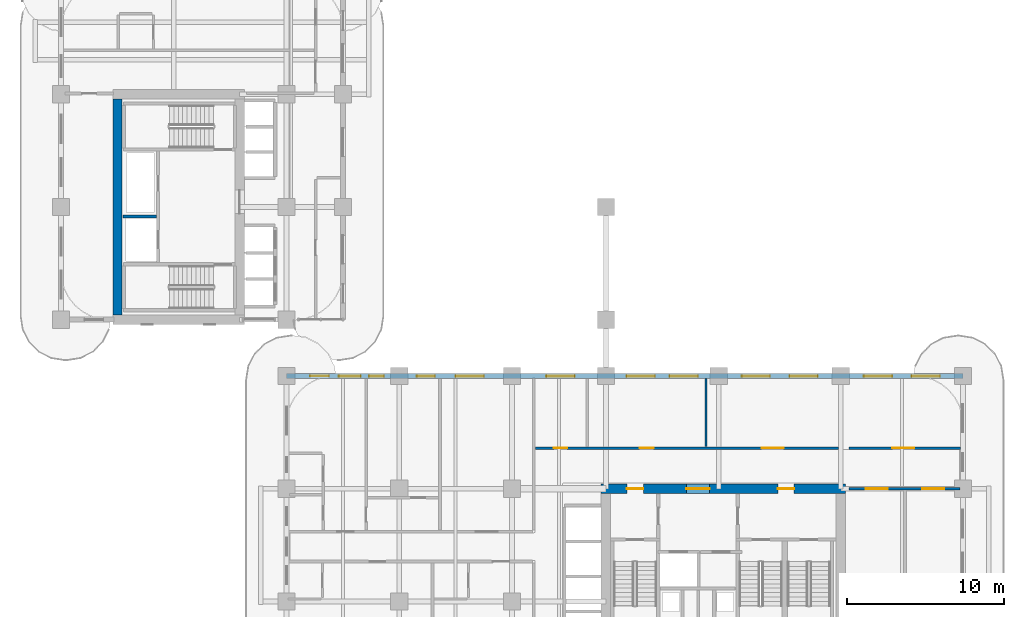
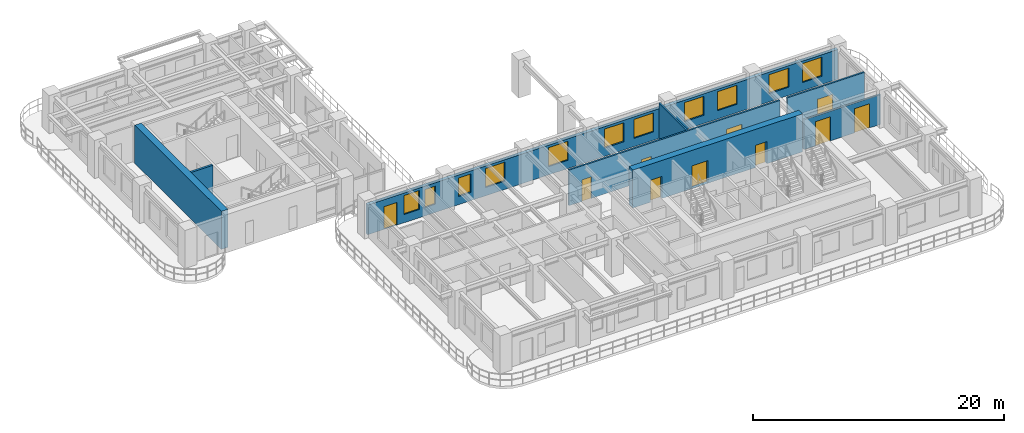
# One storey, part 10 of 19: 11 windows, 10 doors, 8 walls, 21 openings.
"""IFC4 building model written with IfcOpenShell, lengths in metres."""

from ifc_helpers import new_model, si_unit, derived_unit, direction, frame, frame_2d, origin, place, context, subcontext, project, spatial, rectangle, extrude, source, transform, mapped, material, layer, layer_set, type_object, type_shapes, element, fill, save


model = new_model("IFC4")

# Units and contexts
model_context = context("Model", 3, precision=1e-05, world=origin(), true_north=direction((0.0, 1.0)))
body_context = subcontext(model_context, "Body", "Model", "MODEL_VIEW")
ifc_project = project(units=[si_unit("LENGTHUNIT", "METRE"), si_unit("AREAUNIT", "SQUARE_METRE"), si_unit("VOLUMEUNIT", "CUBIC_METRE"), si_unit("PLANEANGLEUNIT", "RADIAN"), si_unit("MASSUNIT", "GRAM", prefix="KILO"), si_unit("THERMODYNAMICTEMPERATUREUNIT", "KELVIN"), si_unit("POWERUNIT", "WATT"), derived_unit("THERMALTRANSMITTANCEUNIT", [(si_unit("POWERUNIT", "WATT"), 1), (si_unit("AREAUNIT", "SQUARE_METRE"), -1), (si_unit("THERMODYNAMICTEMPERATUREUNIT", "KELVIN"), -1)])], contexts=[model_context])

# Site, building, storey
site_placement = place(None, origin())
site = spatial("IfcSite", under=ifc_project, at=site_placement, CompositionType="ELEMENT")
building_placement = place(site_placement, origin())
building = spatial("IfcBuilding", under=site, at=building_placement, Name="Zahravan Archway Hotel and Residences", CompositionType="ELEMENT")
storey_placement = place(building_placement, frame((0.0, 0.0, 47.199951171875)))
storey = spatial("IfcBuildingStorey", under=building, at=storey_placement, Name="L10", CompositionType="ELEMENT", Elevation=47.199951171875)

# Wall, openings, doors
ifc_material_1 = material(Name="Concrete C70/85", Category="concrete")
ifc_layer_1 = layer(ifc_material_1, 0.60009765625, Name="Concrete C70/85", Category="concrete")
ifc_layer_set_1 = layer_set([ifc_layer_1], Name="Concrete C70/85")
wall_type_1 = type_object("IfcWallType", Name="CW-CORE-600", PredefinedType="SHEAR", material=ifc_layer_set_1)
wall_1_placement = place(storey_placement, frame((34.5, 14.39990234375, 0.0), z_axis=(0.0, 0.0, 1.0), x_axis=(1.0, 0.0, 0.0)))
wall_1 = element("IfcWall", 1, at=wall_1_placement, inside=storey, type_object=wall_type_1, Name="L10 Core A Shear N Wall 600 mm", PredefinedType="SHEAR", context=body_context, shape_type="SweptSolid", body=[
    extrude(rectangle(XDim=15.60009765625, YDim=0.60009765625, at=frame_2d((7.800048828125, 0.0))), origin(), (0.0, 0.0, 1.0), 3.699951171875),
])
opening_1_placement = place(wall_1_placement, frame((5.429931640625, 0.0, 0.0)))
opening_1 = element("IfcOpeningElement", 2, at=opening_1_placement, cuts=wall_1, Name="Opening FD-L1", PredefinedType="OPENING", context=body_context, shape_type="SweptSolid", body=[
    extrude(rectangle(XDim=1.5, YDim=2.199951171875, at=frame_2d((0.75, 1.10009765625))), frame((0.0, 0.31005859375, 0.0), z_axis=(0.0, -1.0, 0.0), x_axis=(1.0, 0.0, 0.0)), (0.0, 0.0, 1.0), 0.6201171875),
])
opening_2_placement = place(wall_1_placement, frame((1.64501953125, 0.0, 0.0)))
opening_2 = element("IfcOpeningElement", 3, at=opening_2_placement, cuts=wall_1, Name="Opening FD-L2", PredefinedType="OPENING", context=body_context, shape_type="SweptSolid", body=[
    extrude(rectangle(XDim=1.050048828125, YDim=2.14990234375, at=frame_2d((0.52490234375, 1.074951171875))), frame((0.0, 0.31005859375, 0.0), z_axis=(0.0, -1.0, 0.0), x_axis=(1.0, 0.0, 0.0)), (0.0, 0.0, 1.0), 0.6201171875),
])
opening_3_placement = place(wall_1_placement, frame((11.27490234375, 0.0, 0.0)))
opening_3 = element("IfcOpeningElement", 4, at=opening_3_placement, cuts=wall_1, Name="Opening FD-L2", PredefinedType="OPENING", context=body_context, shape_type="SweptSolid", body=[
    extrude(rectangle(XDim=1.050048828125, YDim=2.14990234375, at=frame_2d((0.52490234375, 1.074951171875))), frame((0.0, 0.31005859375, 0.0), z_axis=(0.0, -1.0, 0.0), x_axis=(1.0, 0.0, 0.0)), (0.0, 0.0, 1.0), 0.6201171875),
])
ifc_material_2 = material(Name="Fire-Rated Painted Steel", Category="steel")
door_type_1 = type_object("IfcDoorType", Name="FD-LOBBY-1100", OperationType="NOTDEFINED", PredefinedType="DOOR", material=ifc_material_2)
shared_shape_1 = source(origin(), body_context, "Body", "SweptSolid", [
    extrude(rectangle(XDim=1.050048828125, YDim=2.14990234375, at=frame_2d((0.52490234375, 1.074951171875))), frame((0.0, 0.02490234375, 0.0), z_axis=(0.0, -1.0, 0.0), x_axis=(1.0, 0.0, 0.0)), (0.0, 0.0, 1.0), 0.050048828125),
])
type_shapes(door_type_1, [shared_shape_1])
door_1_placement = place(opening_2_placement, origin())
door_1 = element("IfcDoor", 5, at=door_1_placement, inside=storey, type_object=door_type_1, Name="L10 Core A West Stair Lobby Door", OperationType="SINGLE_SWING_RIGHT", OverallHeight=2.14990234375, OverallWidth=1.050048828125, PredefinedType="DOOR", context=body_context, shape_type="MappedRepresentation", body=[
    mapped(shared_shape_1, transform((0.0, 0.0, 0.0), scale=1.0)),
])
fill(opening_2, door_1)
door_2_placement = place(opening_3_placement, origin())
door_2 = element("IfcDoor", 6, at=door_2_placement, inside=storey, type_object=door_type_1, Name="L10 Core A East Stair Lobby Door", OperationType="SINGLE_SWING_LEFT", OverallHeight=2.14990234375, OverallWidth=1.050048828125, PredefinedType="DOOR", context=body_context, shape_type="MappedRepresentation", body=[
    mapped(shared_shape_1, transform((0.0, 0.0, 0.0), scale=1.0)),
])
fill(opening_3, door_2)
door_type_2 = type_object("IfcDoorType", Name="FD-LOBBY-1500", OperationType="DOUBLE_DOOR_SINGLE_SWING", PredefinedType="DOOR", material=ifc_material_2)
shared_shape_2 = source(origin(), body_context, "Body", "SweptSolid", [
    extrude(rectangle(XDim=1.5, YDim=2.199951171875, at=frame_2d((0.75, 1.10009765625))), frame((0.0, 0.02490234375, 0.0), z_axis=(0.0, -1.0, 0.0), x_axis=(1.0, 0.0, 0.0)), (0.0, 0.0, 1.0), 0.050048828125),
])
type_shapes(door_type_2, [shared_shape_2])
door_3_placement = place(opening_1_placement, origin())
door_3 = element("IfcDoor", 7, at=door_3_placement, inside=storey, type_object=door_type_2, Name="L10 Core A FSAE Lobby Main Door", OperationType="DOUBLE_DOOR_SINGLE_SWING", OverallHeight=2.199951171875, OverallWidth=1.5, PredefinedType="DOOR", context=body_context, shape_type="MappedRepresentation", body=[
    mapped(shared_shape_2, transform((0.0, 0.0, 0.0), scale=1.0)),
])
fill(opening_1, door_3)

# Wall
wall_2_placement = place(storey_placement, frame((3.60009765625, 25.5, 0.0), z_axis=(0.0, 0.0, 1.0), x_axis=(0.0, 1.0, 0.0)))
element("IfcWall", 8, at=wall_2_placement, inside=storey, type_object=wall_type_1, Name="L10 Core B Shear W Wall 600 mm", PredefinedType="SHEAR", context=body_context, shape_type="SweptSolid", body=[
    extrude(rectangle(XDim=13.800048828125, YDim=0.60009765625, at=frame_2d((6.89990234375, 0.0))), origin(), (0.0, 0.0, 1.0), 3.699951171875),
])

# Wall, openings, door, windows
ifc_material_3 = material(Name="Agra Buff Sandstone & Insulated Backup", Category="masonry")
ifc_layer_2 = layer(ifc_material_3, 0.320068359375, Name="Agra Buff Sandstone & Insulated Backup", Category="masonry")
ifc_layer_set_2 = layer_set([ifc_layer_2], Name="Agra Buff Sandstone & Insulated Backup")
wall_type_2 = type_object("IfcWallType", Name="EW-SAND-320", PredefinedType="SOLIDWALL", material=ifc_layer_set_2)
wall_3_placement = place(storey_placement, frame((14.39990234375, 21.60009765625, 0.0), z_axis=(0.0, 0.0, 1.0), x_axis=(1.0, 0.0, 0.0)))
wall_3 = element("IfcWall", 9, at=wall_3_placement, inside=storey, type_object=wall_type_2, Name="L10 Exterior Sandstone Wall WA-NE", PredefinedType="SOLIDWALL", context=body_context, shape_type="SweptSolid", body=[
    extrude(rectangle(XDim=43.2001953125, YDim=0.320068359375, at=frame_2d((21.60009765625, 0.0))), origin(), (0.0, 0.0, 1.0), 2.885009765625),
])
opening_4_placement = place(wall_3_placement, frame((1.5, 0.0, 0.0)))
opening_4 = element("IfcOpeningElement", 10, at=opening_4_placement, cuts=wall_3, Name="Opening ED-BL1", PredefinedType="OPENING", context=body_context, shape_type="SweptSolid", body=[
    extrude(rectangle(XDim=1.199951171875, YDim=2.199951171875, at=frame_2d((0.60009765625, 1.10009765625))), frame((0.0, 0.169921875, 0.0), z_axis=(0.0, -1.0, 0.0), x_axis=(1.0, 0.0, 0.0)), (0.0, 0.0, 1.0), 0.340087890625),
])
opening_5_placement = place(wall_3_placement, frame((3.3359375, 0.0, 0.800048828125)))
opening_5 = element("IfcOpeningElement", 11, at=opening_5_placement, cuts=wall_3, Name="Opening W-03", PredefinedType="OPENING", context=body_context, shape_type="SweptSolid", body=[
    extrude(rectangle(XDim=1.39990234375, YDim=1.85009765625, at=frame_2d((0.699951171875, 0.925048828125))), frame((0.0, 0.169921875, 0.0), z_axis=(0.0, -1.0, 0.0), x_axis=(1.0, 0.0, 0.0)), (0.0, 0.0, 1.0), 0.340087890625),
])
opening_6_placement = place(wall_3_placement, frame((5.26904296875, 0.0, 0.800048828125)))
opening_6 = element("IfcOpeningElement", 12, at=opening_6_placement, cuts=wall_3, Name="Opening W-04", PredefinedType="OPENING", context=body_context, shape_type="SweptSolid", body=[
    extrude(rectangle(XDim=0.949951171875, YDim=1.75, at=frame_2d((0.47509765625, 0.875))), frame((0.0, 0.169921875, 0.0), z_axis=(0.0, -1.0, 0.0), x_axis=(1.0, 0.0, 0.0)), (0.0, 0.0, 1.0), 0.340087890625),
])
opening_7_placement = place(wall_3_placement, frame((8.321044921875, 0.0, 0.800048828125)))
opening_7 = element("IfcOpeningElement", 13, at=opening_7_placement, cuts=wall_3, Name="Opening W-05", PredefinedType="OPENING", context=body_context, shape_type="SweptSolid", body=[
    extrude(rectangle(XDim=1.14990234375, YDim=1.800048828125, at=frame_2d((0.574951171875, 0.89990234375))), frame((0.0, 0.169921875, 0.0), z_axis=(0.0, -1.0, 0.0), x_axis=(1.0, 0.0, 0.0)), (0.0, 0.0, 1.0), 0.340087890625),
])
opening_8_placement = place(wall_3_placement, frame((10.803955078125, 0.0, 0.800048828125)))
opening_8 = element("IfcOpeningElement", 14, at=opening_8_placement, cuts=wall_3, Name="Opening W-02", PredefinedType="OPENING", context=body_context, shape_type="SweptSolid", body=[
    extrude(rectangle(XDim=1.800048828125, YDim=1.85009765625, at=frame_2d((0.89990234375, 0.925048828125))), frame((0.0, 0.169921875, 0.0), z_axis=(0.0, -1.0, 0.0), x_axis=(1.0, 0.0, 0.0)), (0.0, 0.0, 1.0), 0.340087890625),
])
opening_9_placement = place(wall_3_placement, frame((16.60107421875, 0.0, 0.800048828125)))
opening_9 = element("IfcOpeningElement", 15, at=opening_9_placement, cuts=wall_3, Name="Opening W-02", PredefinedType="OPENING", context=body_context, shape_type="SweptSolid", body=[
    extrude(rectangle(XDim=1.800048828125, YDim=1.85009765625, at=frame_2d((0.89990234375, 0.925048828125))), frame((0.0, 0.169921875, 0.0), z_axis=(0.0, -1.0, 0.0), x_axis=(1.0, 0.0, 0.0)), (0.0, 0.0, 1.0), 0.340087890625),
])
opening_10_placement = place(wall_3_placement, frame((21.722900390625, 0.0, 0.800048828125)))
opening_10 = element("IfcOpeningElement", 16, at=opening_10_placement, cuts=wall_3, Name="Opening W-02", PredefinedType="OPENING", context=body_context, shape_type="SweptSolid", body=[
    extrude(rectangle(XDim=1.800048828125, YDim=1.85009765625, at=frame_2d((0.89990234375, 0.925048828125))), frame((0.0, 0.169921875, 0.0), z_axis=(0.0, -1.0, 0.0), x_axis=(1.0, 0.0, 0.0)), (0.0, 0.0, 1.0), 0.340087890625),
])
opening_11_placement = place(wall_3_placement, frame((24.468994140625, 0.0, 0.800048828125)))
opening_11 = element("IfcOpeningElement", 17, at=opening_11_placement, cuts=wall_3, Name="Opening W-02", PredefinedType="OPENING", context=body_context, shape_type="SweptSolid", body=[
    extrude(rectangle(XDim=1.800048828125, YDim=1.85009765625, at=frame_2d((0.89990234375, 0.925048828125))), frame((0.0, 0.169921875, 0.0), z_axis=(0.0, -1.0, 0.0), x_axis=(1.0, 0.0, 0.0)), (0.0, 0.0, 1.0), 0.340087890625),
])
opening_12_placement = place(wall_3_placement, frame((29.074951171875, 0.0, 0.800048828125)))
opening_12 = element("IfcOpeningElement", 18, at=opening_12_placement, cuts=wall_3, Name="Opening W-02", PredefinedType="OPENING", context=body_context, shape_type="SweptSolid", body=[
    extrude(rectangle(XDim=1.800048828125, YDim=1.85009765625, at=frame_2d((0.89990234375, 0.925048828125))), frame((0.0, 0.169921875, 0.0), z_axis=(0.0, -1.0, 0.0), x_axis=(1.0, 0.0, 0.0)), (0.0, 0.0, 1.0), 0.340087890625),
])
opening_13_placement = place(wall_3_placement, frame((32.125, 0.0, 0.800048828125)))
opening_13 = element("IfcOpeningElement", 19, at=opening_13_placement, cuts=wall_3, Name="Opening W-02", PredefinedType="OPENING", context=body_context, shape_type="SweptSolid", body=[
    extrude(rectangle(XDim=1.800048828125, YDim=1.85009765625, at=frame_2d((0.89990234375, 0.925048828125))), frame((0.0, 0.169921875, 0.0), z_axis=(0.0, -1.0, 0.0), x_axis=(1.0, 0.0, 0.0)), (0.0, 0.0, 1.0), 0.340087890625),
])
opening_14_placement = place(wall_3_placement, frame((36.875, 0.0, 0.800048828125)))
opening_14 = element("IfcOpeningElement", 20, at=opening_14_placement, cuts=wall_3, Name="Opening W-02", PredefinedType="OPENING", context=body_context, shape_type="SweptSolid", body=[
    extrude(rectangle(XDim=1.800048828125, YDim=1.85009765625, at=frame_2d((0.89990234375, 0.925048828125))), frame((0.0, 0.169921875, 0.0), z_axis=(0.0, -1.0, 0.0), x_axis=(1.0, 0.0, 0.0)), (0.0, 0.0, 1.0), 0.340087890625),
])
opening_15_placement = place(wall_3_placement, frame((39.925048828125, 0.0, 0.800048828125)))
opening_15 = element("IfcOpeningElement", 21, at=opening_15_placement, cuts=wall_3, Name="Opening W-02", PredefinedType="OPENING", context=body_context, shape_type="SweptSolid", body=[
    extrude(rectangle(XDim=1.800048828125, YDim=1.85009765625, at=frame_2d((0.89990234375, 0.925048828125))), frame((0.0, 0.169921875, 0.0), z_axis=(0.0, -1.0, 0.0), x_axis=(1.0, 0.0, 0.0)), (0.0, 0.0, 1.0), 0.340087890625),
])
ifc_material_4 = material(Name="Bronze-Anodized Glazed Aluminium", Category="aluminium")
door_type_3 = type_object("IfcDoorType", Name="ED-BALC-1200", OperationType="SLIDING_TO_LEFT", PredefinedType="DOOR", material=ifc_material_4)
shared_shape_3 = source(origin(), body_context, "Body", "SweptSolid", [
    extrude(rectangle(XDim=1.199951171875, YDim=2.199951171875, at=frame_2d((0.60009765625, 1.10009765625))), frame((0.0, 0.02490234375, 0.0), z_axis=(0.0, -1.0, 0.0), x_axis=(1.0, 0.0, 0.0)), (0.0, 0.0, 1.0), 0.050048828125),
])
type_shapes(door_type_3, [shared_shape_3])
door_4_placement = place(opening_4_placement, origin())
door_4 = element("IfcDoor", 22, at=door_4_placement, inside=storey, type_object=door_type_3, Name="L10 Outdoor Access Sliding Door (SLB-BAL-L10-WA)", OperationType="SLIDING_TO_LEFT", OverallHeight=2.199951171875, OverallWidth=1.199951171875, PredefinedType="DOOR", context=body_context, shape_type="MappedRepresentation", body=[
    mapped(shared_shape_3, transform((0.0, 0.0, 0.0), scale=1.0)),
])
fill(opening_4, door_4)
ifc_material_5 = material(Name="Bronze-Anodized Thermal-Break Aluminium & Low-E Glass", Category="aluminium")
window_type_1 = type_object("IfcWindowType", Name="WIN-TWR-1400", PartitioningType="SINGLE_PANEL", PredefinedType="WINDOW", material=ifc_material_5)
shared_shape_4 = source(origin(), body_context, "Body", "SweptSolid", [
    extrude(rectangle(XDim=1.39990234375, YDim=1.85009765625, at=frame_2d((0.699951171875, 0.925048828125))), frame((0.0, 0.030029296875, 0.0), z_axis=(0.0, -1.0, 0.0), x_axis=(1.0, 0.0, 0.0)), (0.0, 0.0, 1.0), 0.06005859375),
])
type_shapes(window_type_1, [shared_shape_4])
window_1_placement = place(opening_5_placement, origin())
window_1 = element("IfcWindow", 23, at=window_1_placement, inside=storey, type_object=window_type_1, Name="L10 Loggia Window 17", OverallHeight=1.85009765625, OverallWidth=1.39990234375, PartitioningType="SINGLE_PANEL", PredefinedType="WINDOW", context=body_context, shape_type="MappedRepresentation", body=[
    mapped(shared_shape_4, transform((0.0, 0.0, 0.0), scale=1.0)),
])
fill(opening_5, window_1)
window_type_2 = type_object("IfcWindowType", Name="WIN-NAR-950", PartitioningType="SINGLE_PANEL", PredefinedType="WINDOW", material=ifc_material_5)
shared_shape_5 = source(origin(), body_context, "Body", "SweptSolid", [
    extrude(rectangle(XDim=0.949951171875, YDim=1.75, at=frame_2d((0.47509765625, 0.875))), frame((0.0, 0.030029296875, 0.0), z_axis=(0.0, -1.0, 0.0), x_axis=(1.0, 0.0, 0.0)), (0.0, 0.0, 1.0), 0.06005859375),
])
type_shapes(window_type_2, [shared_shape_5])
window_2_placement = place(opening_6_placement, origin())
window_2 = element("IfcWindow", 24, at=window_2_placement, inside=storey, type_object=window_type_2, Name="L10 Loggia Window 18", OverallHeight=1.75, OverallWidth=0.949951171875, PartitioningType="SINGLE_PANEL", PredefinedType="WINDOW", context=body_context, shape_type="MappedRepresentation", body=[
    mapped(shared_shape_5, transform((0.0, 0.0, 0.0), scale=1.0)),
])
fill(opening_6, window_2)
window_type_3 = type_object("IfcWindowType", Name="WIN-TWR-1800", PartitioningType="DOUBLE_PANEL_VERTICAL", PredefinedType="WINDOW", material=ifc_material_5)
shared_shape_6 = source(origin(), body_context, "Body", "SweptSolid", [
    extrude(rectangle(XDim=1.800048828125, YDim=1.85009765625, at=frame_2d((0.89990234375, 0.925048828125))), frame((0.0, 0.030029296875, 0.0), z_axis=(0.0, -1.0, 0.0), x_axis=(1.0, 0.0, 0.0)), (0.0, 0.0, 1.0), 0.06005859375),
])
type_shapes(window_type_3, [shared_shape_6])
window_3_placement = place(opening_8_placement, origin())
window_3 = element("IfcWindow", 25, at=window_3_placement, inside=storey, type_object=window_type_3, Name="L10 Loggia Window 20", OverallHeight=1.85009765625, OverallWidth=1.800048828125, PartitioningType="DOUBLE_PANEL_VERTICAL", PredefinedType="WINDOW", context=body_context, shape_type="MappedRepresentation", body=[
    mapped(shared_shape_6, transform((0.0, 0.0, 0.0), scale=1.0)),
])
fill(opening_8, window_3)
window_4_placement = place(opening_9_placement, origin())
window_4 = element("IfcWindow", 26, at=window_4_placement, inside=storey, type_object=window_type_3, Name="L10 Loggia Window 21", OverallHeight=1.85009765625, OverallWidth=1.800048828125, PartitioningType="DOUBLE_PANEL_VERTICAL", PredefinedType="WINDOW", context=body_context, shape_type="MappedRepresentation", body=[
    mapped(shared_shape_6, transform((0.0, 0.0, 0.0), scale=1.0)),
])
fill(opening_9, window_4)
window_5_placement = place(opening_10_placement, origin())
window_5 = element("IfcWindow", 27, at=window_5_placement, inside=storey, type_object=window_type_3, Name="L10 Loggia Window 22", OverallHeight=1.85009765625, OverallWidth=1.800048828125, PartitioningType="DOUBLE_PANEL_VERTICAL", PredefinedType="WINDOW", context=body_context, shape_type="MappedRepresentation", body=[
    mapped(shared_shape_6, transform((0.0, 0.0, 0.0), scale=1.0)),
])
fill(opening_10, window_5)
window_6_placement = place(opening_11_placement, origin())
window_6 = element("IfcWindow", 28, at=window_6_placement, inside=storey, type_object=window_type_3, Name="L10 Loggia Window 23", OverallHeight=1.85009765625, OverallWidth=1.800048828125, PartitioningType="DOUBLE_PANEL_VERTICAL", PredefinedType="WINDOW", context=body_context, shape_type="MappedRepresentation", body=[
    mapped(shared_shape_6, transform((0.0, 0.0, 0.0), scale=1.0)),
])
fill(opening_11, window_6)
window_7_placement = place(opening_12_placement, origin())
window_7 = element("IfcWindow", 29, at=window_7_placement, inside=storey, type_object=window_type_3, Name="L10 Loggia Window 24", OverallHeight=1.85009765625, OverallWidth=1.800048828125, PartitioningType="DOUBLE_PANEL_VERTICAL", PredefinedType="WINDOW", context=body_context, shape_type="MappedRepresentation", body=[
    mapped(shared_shape_6, transform((0.0, 0.0, 0.0), scale=1.0)),
])
fill(opening_12, window_7)
window_8_placement = place(opening_13_placement, origin())
window_8 = element("IfcWindow", 30, at=window_8_placement, inside=storey, type_object=window_type_3, Name="L10 Loggia Window 25", OverallHeight=1.85009765625, OverallWidth=1.800048828125, PartitioningType="DOUBLE_PANEL_VERTICAL", PredefinedType="WINDOW", context=body_context, shape_type="MappedRepresentation", body=[
    mapped(shared_shape_6, transform((0.0, 0.0, 0.0), scale=1.0)),
])
fill(opening_13, window_8)
window_9_placement = place(opening_14_placement, origin())
window_9 = element("IfcWindow", 31, at=window_9_placement, inside=storey, type_object=window_type_3, Name="L10 Loggia Window 26", OverallHeight=1.85009765625, OverallWidth=1.800048828125, PartitioningType="DOUBLE_PANEL_VERTICAL", PredefinedType="WINDOW", context=body_context, shape_type="MappedRepresentation", body=[
    mapped(shared_shape_6, transform((0.0, 0.0, 0.0), scale=1.0)),
])
fill(opening_14, window_9)
window_10_placement = place(opening_15_placement, origin())
window_10 = element("IfcWindow", 32, at=window_10_placement, inside=storey, type_object=window_type_3, Name="L10 Loggia Window 27", OverallHeight=1.85009765625, OverallWidth=1.800048828125, PartitioningType="DOUBLE_PANEL_VERTICAL", PredefinedType="WINDOW", context=body_context, shape_type="MappedRepresentation", body=[
    mapped(shared_shape_6, transform((0.0, 0.0, 0.0), scale=1.0)),
])
fill(opening_15, window_10)
window_type_4 = type_object("IfcWindowType", Name="WIN-TWR-1150", PartitioningType="SINGLE_PANEL", PredefinedType="WINDOW", material=ifc_material_5)
shared_shape_7 = source(origin(), body_context, "Body", "SweptSolid", [
    extrude(rectangle(XDim=1.14990234375, YDim=1.800048828125, at=frame_2d((0.574951171875, 0.89990234375))), frame((0.0, 0.030029296875, 0.0), z_axis=(0.0, -1.0, 0.0), x_axis=(1.0, 0.0, 0.0)), (0.0, 0.0, 1.0), 0.06005859375),
])
type_shapes(window_type_4, [shared_shape_7])
window_11_placement = place(opening_7_placement, origin())
window_11 = element("IfcWindow", 33, at=window_11_placement, inside=storey, type_object=window_type_4, Name="L10 Loggia Window 19", OverallHeight=1.800048828125, OverallWidth=1.14990234375, PartitioningType="SINGLE_PANEL", PredefinedType="WINDOW", context=body_context, shape_type="MappedRepresentation", body=[
    mapped(shared_shape_7, transform((0.0, 0.0, 0.0), scale=1.0)),
])
fill(opening_7, window_11)

# Wall, openings, doors
ifc_material_6 = material(Name="Fire-Rated Gypsum & Concrete Block", Category="concrete")
ifc_layer_3 = layer(ifc_material_6, 0.159912109375, Name="Fire-Rated Gypsum & Concrete Block", Category="concrete")
ifc_layer_set_3 = layer_set([ifc_layer_3], Name="Fire-Rated Gypsum & Concrete Block")
wall_type_3 = type_object("IfcWallType", Name="PW-CORR-160", PredefinedType="PARTITIONING", material=ifc_layer_set_3)
wall_4_placement = place(storey_placement, frame((30.2900390625, 17.0, 0.0), z_axis=(0.0, 0.0, 1.0), x_axis=(1.0, 0.0, 0.0)))
wall_4 = element("IfcWall", 34, at=wall_4_placement, inside=storey, type_object=wall_type_3, Name="L10 Partition WA-FN", PredefinedType="PARTITIONING", context=body_context, shape_type="SweptSolid", body=[
    extrude(rectangle(XDim=19.369873046875, YDim=0.159912109375, at=frame_2d((9.68505859375, 0.0))), origin(), (0.0, 0.0, 1.0), 3.449951171875),
])
opening_16_placement = place(wall_4_placement, frame((1.18505859375, 0.0, 0.0)))
opening_16 = element("IfcOpeningElement", 35, at=opening_16_placement, cuts=wall_4, Name="Opening D-B1", PredefinedType="OPENING", context=body_context, shape_type="SweptSolid", body=[
    extrude(rectangle(XDim=0.85009765625, YDim=2.10009765625, at=frame_2d((0.425048828125, 1.050048828125))), frame((0.0, 0.08984375, 0.0), z_axis=(0.0, -1.0, 0.0), x_axis=(1.0, 0.0, 0.0)), (0.0, 0.0, 1.0), 0.179931640625),
])
opening_17_placement = place(wall_4_placement, frame((6.659912109375, 0.0, 0.0)))
opening_17 = element("IfcOpeningElement", 36, at=opening_17_placement, cuts=wall_4, Name="Opening D-I2", PredefinedType="OPENING", context=body_context, shape_type="SweptSolid", body=[
    extrude(rectangle(XDim=0.89990234375, YDim=2.14990234375, at=frame_2d((0.449951171875, 1.074951171875))), frame((0.0, 0.08984375, 0.0), z_axis=(0.0, -1.0, 0.0), x_axis=(1.0, 0.0, 0.0)), (0.0, 0.0, 1.0), 0.179931640625),
])
opening_18_placement = place(wall_4_placement, frame((14.4599609375, 0.0, 0.0)))
opening_18 = element("IfcOpeningElement", 37, at=opening_18_placement, cuts=wall_4, Name="Opening D-P1", PredefinedType="OPENING", context=body_context, shape_type="SweptSolid", body=[
    extrude(rectangle(XDim=1.39990234375, YDim=2.35009765625, at=frame_2d((0.699951171875, 1.175048828125))), frame((0.0, 0.08984375, 0.0), z_axis=(0.0, -1.0, 0.0), x_axis=(1.0, 0.0, 0.0)), (0.0, 0.0, 1.0), 0.179931640625),
])
ifc_material_7 = material(Name="Hardwood Veneer Timber", Category="wood")
door_type_4 = type_object("IfcDoorType", Name="ID-BATH-850", OperationType="NOTDEFINED", PredefinedType="DOOR", material=ifc_material_7)
shared_shape_8 = source(origin(), body_context, "Body", "SweptSolid", [
    extrude(rectangle(XDim=0.85009765625, YDim=2.10009765625, at=frame_2d((0.425048828125, 1.050048828125))), frame((0.0, 0.02490234375, 0.0), z_axis=(0.0, -1.0, 0.0), x_axis=(1.0, 0.0, 0.0)), (0.0, 0.0, 1.0), 0.050048828125),
])
type_shapes(door_type_4, [shared_shape_8])
door_5_placement = place(opening_16_placement, origin())
door_5 = element("IfcDoor", 38, at=door_5_placement, inside=storey, type_object=door_type_4, Name="L10 Accessible Floor Restroom Door", OperationType="SINGLE_SWING_RIGHT", OverallHeight=2.10009765625, OverallWidth=0.85009765625, PredefinedType="DOOR", context=body_context, shape_type="MappedRepresentation", body=[
    mapped(shared_shape_8, transform((0.0, 0.0, 0.0), scale=1.0)),
])
fill(opening_16, door_5)
door_type_5 = type_object("IfcDoorType", Name="ID-PUBLIC-1400", OperationType="DOUBLE_DOOR_SINGLE_SWING", PredefinedType="DOOR", material=ifc_material_4)
shared_shape_9 = source(origin(), body_context, "Body", "SweptSolid", [
    extrude(rectangle(XDim=1.39990234375, YDim=2.35009765625, at=frame_2d((0.699951171875, 1.175048828125))), frame((0.0, 0.02490234375, 0.0), z_axis=(0.0, -1.0, 0.0), x_axis=(1.0, 0.0, 0.0)), (0.0, 0.0, 1.0), 0.050048828125),
])
type_shapes(door_type_5, [shared_shape_9])
door_6_placement = place(opening_18_placement, origin())
door_6 = element("IfcDoor", 39, at=door_6_placement, inside=storey, type_object=door_type_5, Name="L10 Co-Working Room Door", OperationType="DOUBLE_DOOR_SINGLE_SWING", OverallHeight=2.35009765625, OverallWidth=1.39990234375, PredefinedType="DOOR", context=body_context, shape_type="MappedRepresentation", body=[
    mapped(shared_shape_9, transform((0.0, 0.0, 0.0), scale=1.0)),
])
fill(opening_18, door_6)
door_type_6 = type_object("IfcDoorType", Name="ID-INT-900", OperationType="NOTDEFINED", PredefinedType="DOOR", material=ifc_material_7)
shared_shape_10 = source(origin(), body_context, "Body", "SweptSolid", [
    extrude(rectangle(XDim=0.89990234375, YDim=2.14990234375, at=frame_2d((0.449951171875, 1.074951171875))), frame((0.0, 0.02490234375, 0.0), z_axis=(0.0, -1.0, 0.0), x_axis=(1.0, 0.0, 0.0)), (0.0, 0.0, 1.0), 0.050048828125),
])
type_shapes(door_type_6, [shared_shape_10])
door_7_placement = place(opening_17_placement, origin())
door_7 = element("IfcDoor", 40, at=door_7_placement, inside=storey, type_object=door_type_6, Name="L10 Tea Servery Door", OperationType="SINGLE_SWING_LEFT", OverallHeight=2.14990234375, OverallWidth=0.89990234375, PredefinedType="DOOR", context=body_context, shape_type="MappedRepresentation", body=[
    mapped(shared_shape_10, transform((0.0, 0.0, 0.0), scale=1.0)),
])
fill(opening_17, door_7)

# Wall, opening, door
wall_5_placement = place(storey_placement, frame((50.340087890625, 17.0, 0.0), z_axis=(0.0, 0.0, 1.0), x_axis=(1.0, 0.0, 0.0)))
wall_5 = element("IfcWall", 41, at=wall_5_placement, inside=storey, type_object=wall_type_3, Name="L10 Partition EA-PN", PredefinedType="PARTITIONING", context=body_context, shape_type="SweptSolid", body=[
    extrude(rectangle(XDim=7.091796875, YDim=0.159912109375, at=frame_2d((3.5458984375, 0.0))), origin(), (0.0, 0.0, 1.0), 3.449951171875),
])
opening_19_placement = place(wall_5_placement, frame((2.760009765625, 0.0, 0.0)))
opening_19 = element("IfcOpeningElement", 42, at=opening_19_placement, cuts=wall_5, Name="Opening D-P1", PredefinedType="OPENING", context=body_context, shape_type="SweptSolid", body=[
    extrude(rectangle(XDim=1.39990234375, YDim=2.35009765625, at=frame_2d((0.699951171875, 1.175048828125))), frame((0.0, 0.08984375, 0.0), z_axis=(0.0, -1.0, 0.0), x_axis=(1.0, 0.0, 0.0)), (0.0, 0.0, 1.0), 0.179931640625),
])
door_8_placement = place(opening_19_placement, origin())
door_8 = element("IfcDoor", 43, at=door_8_placement, inside=storey, type_object=door_type_5, Name="L10 East Fitness Studio Door", OperationType="DOUBLE_DOOR_SINGLE_SWING", OverallHeight=2.35009765625, OverallWidth=1.39990234375, PredefinedType="DOOR", context=body_context, shape_type="MappedRepresentation", body=[
    mapped(shared_shape_9, transform((0.0, 0.0, 0.0), scale=1.0)),
])
fill(opening_19, door_8)

# Wall
ifc_layer_4 = layer(ifc_material_6, 0.199951171875, Name="Fire-Rated Gypsum & Concrete Block", Category="concrete")
ifc_layer_set_4 = layer_set([ifc_layer_4], Name="Fire-Rated Gypsum & Concrete Block")
wall_type_4 = type_object("IfcWallType", Name="PW-SHAFT-200", PredefinedType="PARTITIONING", material=ifc_layer_set_4)
wall_6_placement = place(storey_placement, frame((3.9599609375, 31.780029296875, 0.0), z_axis=(0.0, 0.0, 1.0), x_axis=(1.0, 0.0, 0.0)))
element("IfcWall", 44, at=wall_6_placement, inside=storey, type_object=wall_type_4, Name="L10 Partition CB-FL3N", PredefinedType="PARTITIONING", context=body_context, shape_type="SweptSolid", body=[
    extrude(rectangle(XDim=2.130126953125, YDim=0.199951171875, at=frame_2d((1.06494140625, 0.0))), origin(), (0.0, 0.0, 1.0), 3.449951171875),
])

# Wall, openings, doors
ifc_material_8 = material(Name="Acoustic Stud Partition")
ifc_layer_5 = layer(ifc_material_8, 0.169921875, Name="Acoustic Stud Partition")
ifc_layer_set_5 = layer_set([ifc_layer_5], Name="Acoustic Stud Partition")
wall_type_5 = type_object("IfcWallType", Name="PW-UNIT-170", PredefinedType="PARTITIONING", material=ifc_layer_set_5)
wall_7_placement = place(storey_placement, frame((50.340087890625, 14.39990234375, 0.0), z_axis=(0.0, 0.0, 1.0), x_axis=(1.0, 0.0, 0.0)))
wall_7 = element("IfcWall", 45, at=wall_7_placement, inside=storey, type_object=wall_type_5, Name="L10 Partition EA-PS", PredefinedType="PARTITIONING", context=body_context, shape_type="SweptSolid", body=[
    extrude(rectangle(XDim=7.06982421875, YDim=0.169921875, at=frame_2d((3.534912109375, 0.0))), origin(), (0.0, 0.0, 1.0), 2.885009765625),
])
opening_20_placement = place(wall_7_placement, frame((1.06005859375, 0.0, 0.0)))
opening_20 = element("IfcOpeningElement", 46, at=opening_20_placement, cuts=wall_7, Name="Opening D-P1", PredefinedType="OPENING", context=body_context, shape_type="SweptSolid", body=[
    extrude(rectangle(XDim=1.39990234375, YDim=2.35009765625, at=frame_2d((0.699951171875, 1.175048828125))), frame((0.0, 0.094970703125, 0.0), z_axis=(0.0, -1.0, 0.0), x_axis=(1.0, 0.0, 0.0)), (0.0, 0.0, 1.0), 0.18994140625),
])
opening_21_placement = place(wall_7_placement, frame((4.659912109375, 0.0, 0.0)))
opening_21 = element("IfcOpeningElement", 47, at=opening_21_placement, cuts=wall_7, Name="Opening D-P1", PredefinedType="OPENING", context=body_context, shape_type="SweptSolid", body=[
    extrude(rectangle(XDim=1.39990234375, YDim=2.35009765625, at=frame_2d((0.699951171875, 1.175048828125))), frame((0.0, 0.094970703125, 0.0), z_axis=(0.0, -1.0, 0.0), x_axis=(1.0, 0.0, 0.0)), (0.0, 0.0, 1.0), 0.18994140625),
])
door_9_placement = place(opening_20_placement, origin())
door_9 = element("IfcDoor", 48, at=door_9_placement, inside=storey, type_object=door_type_5, Name="L10 East Conference Room Door", OperationType="DOUBLE_DOOR_SINGLE_SWING", OverallHeight=2.35009765625, OverallWidth=1.39990234375, PredefinedType="DOOR", context=body_context, shape_type="MappedRepresentation", body=[
    mapped(shared_shape_9, transform((0.0, 0.0, 0.0), scale=1.0)),
])
fill(opening_20, door_9)
door_10_placement = place(opening_21_placement, origin())
door_10 = element("IfcDoor", 49, at=door_10_placement, inside=storey, type_object=door_type_5, Name="L10 East Salon Door", OperationType="DOUBLE_DOOR_SINGLE_SWING", OverallHeight=2.35009765625, OverallWidth=1.39990234375, PredefinedType="DOOR", context=body_context, shape_type="MappedRepresentation", body=[
    mapped(shared_shape_9, transform((0.0, 0.0, 0.0), scale=1.0)),
])
fill(opening_21, door_10)

# Wall
ifc_material_9 = material(Name="Moisture-Resistant Blockwork", Category="masonry")
ifc_layer_6 = layer(ifc_material_9, 0.139892578125, Name="Moisture-Resistant Blockwork", Category="masonry")
ifc_layer_set_6 = layer_set([ifc_layer_6], Name="Moisture-Resistant Blockwork")
wall_type_6 = type_object("IfcWallType", Name="PW-WET-140", PredefinedType="PARTITIONING", material=ifc_layer_set_6)
wall_8_placement = place(storey_placement, frame((41.199951171875, 17.090087890625, 0.0), z_axis=(0.0, 0.0, 1.0), x_axis=(0.0, 1.0, 0.0)))
element("IfcWall", 50, at=wall_8_placement, inside=storey, type_object=wall_type_6, Name="L10 Partition NE0-2", PredefinedType="PARTITIONING", context=body_context, shape_type="SweptSolid", body=[
    extrude(rectangle(XDim=4.341796875, YDim=0.139892578125, at=frame_2d((2.1708984375, 0.0))), origin(), (0.0, 0.0, 1.0), 3.449951171875),
])

save(model, "model.ifc")
